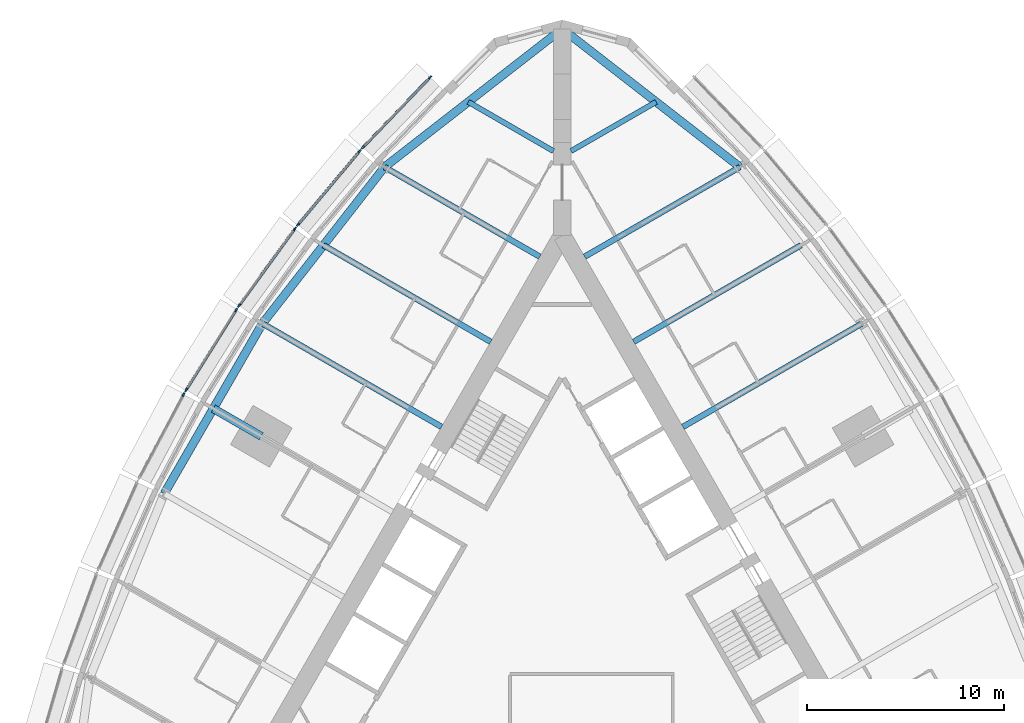
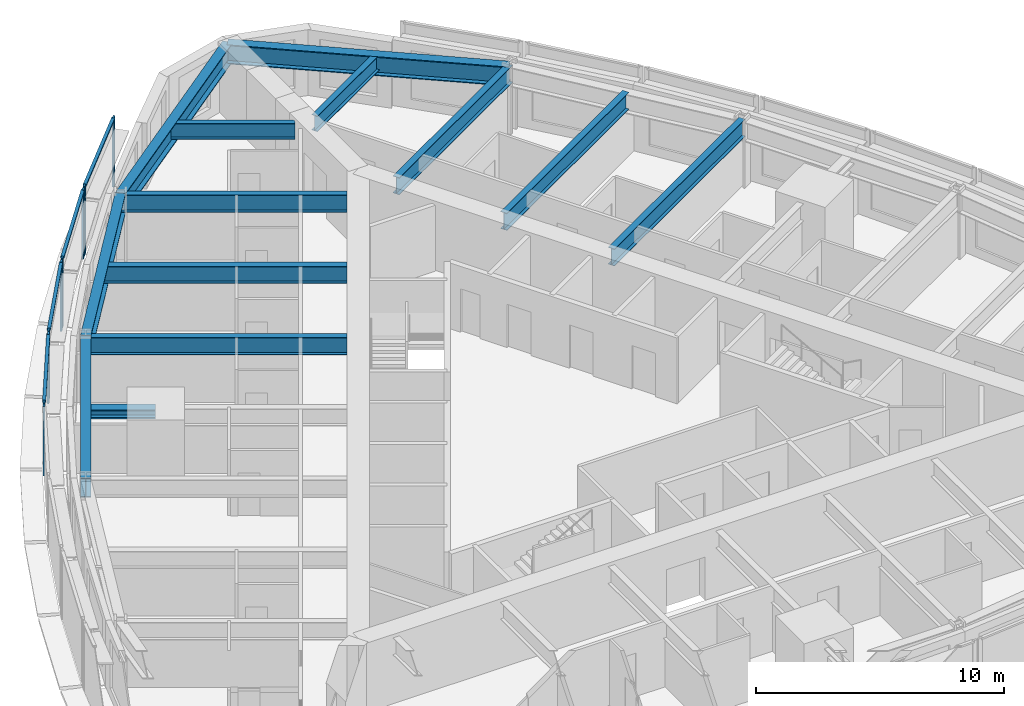
# One storey, part 4 of 14: 13 beams, 13 members, 5 elements without a shape of their own.
"""IFC4 building model written with IfcOpenShell, lengths in metres."""

from ifc_helpers import new_model, si_unit, direction, frame, origin, origin_2d, place, context, subcontext, project, spatial, rectangle, i_section, extrude, material, material_profile, profile_set, type_object, element, aggregate, save


model = new_model("IFC4")

# Units and contexts
model_context = context("Model", 3, precision=1e-05, world=origin(), true_north=direction((0.0, 1.0)))
body_context = subcontext(model_context, "Body", "Model", "MODEL_VIEW")
ifc_project = project(units=[si_unit("LENGTHUNIT", "METRE"), si_unit("AREAUNIT", "SQUARE_METRE"), si_unit("VOLUMEUNIT", "CUBIC_METRE"), si_unit("PLANEANGLEUNIT", "RADIAN"), si_unit("MASSUNIT", "GRAM", prefix="KILO")], contexts=[model_context])

# Site, building, storey
site_placement = place(None, origin())
site = spatial("IfcSite", under=ifc_project, at=site_placement, CompositionType="ELEMENT")
building_placement = place(site_placement, origin())
building = spatial("IfcBuilding", under=site, at=building_placement, Name="Trikona Tower", CompositionType="ELEMENT")
storey_placement = place(building_placement, frame((0.0, 0.0, 118.10009765625)))
storey = spatial("IfcBuildingStorey", under=building, at=storey_placement, Name="L30", CompositionType="ELEMENT", Elevation=118.10009765625)

# Curtain wall, members
ifc_material_1 = material(Name="Aluminium curtain wall system", Category="aluminium")
curtain_wall_type = type_object("IfcCurtainWallType", Name="Curtain wall DS2", PredefinedType="NOTDEFINED", material=ifc_material_1)
curtain_wall_1_placement = place(storey_placement, origin())
curtain_wall_1 = element("IfcCurtainWall", 1, at=curtain_wall_1_placement, inside=storey, type_object=curtain_wall_type, Name="Curtain wall DS2 L30", PredefinedType="NOTDEFINED")
ifc_material_2 = material(Name="Aluminium mullion, pale anodised", Category="aluminium")
ifc_material_profile_1 = material_profile(ifc_material_2, rectangle(XDim=0.080078125, YDim=0.199951171875, at=origin_2d()), Name="MUL-DS2")
ifc_profile_set_1 = profile_set([ifc_material_profile_1], Name="Aluminium mullion, pale anodised")
member_type_1 = type_object("IfcMemberType", Name="Mullion DS2 80x200", PredefinedType="MULLION", material=ifc_profile_set_1)
member_1_placement = place(storey_placement, frame((-6.718994140625, 27.1083984375, 0.0), z_axis=(0.0, 0.0, 1.0), x_axis=(0.722158330767, -0.691727797117, 0.0)))
member_1 = element("IfcMember", 2, at=member_1_placement, type_object=member_type_1, Name="CW-DS2 mullion 1", PredefinedType="MULLION", context=body_context, shape_type="SweptSolid", body=[
    extrude(rectangle(XDim=0.080078125, YDim=0.199951171875, at=origin_2d()), origin(), (0.0, 0.0, 1.0), 3.39990234375),
])
member_2_placement = place(storey_placement, frame((-10.1416015625, 23.535400390625, 0.0), z_axis=(0.0, 0.0, 1.0), x_axis=(0.722158330767, -0.691727797117, 0.0)))
member_2 = element("IfcMember", 3, at=member_2_placement, type_object=member_type_1, Name="CW-DS2 mullion 2", PredefinedType="MULLION", context=body_context, shape_type="SweptSolid", body=[
    extrude(rectangle(XDim=0.080078125, YDim=0.199951171875, at=origin_2d()), origin(), (0.0, 0.0, 1.0), 3.39990234375),
])

curtain_wall_2_placement = place(storey_placement, origin())
curtain_wall_2 = element("IfcCurtainWall", 4, at=curtain_wall_2_placement, inside=storey, type_object=curtain_wall_type, Name="Curtain wall DS2 L30", PredefinedType="NOTDEFINED")
member_3_placement = place(storey_placement, frame((-10.315185546875, 23.34130859375, 0.0), z_axis=(0.0, 0.0, 1.0), x_axis=(0.766866678271, -0.641806433248, 0.0)))
member_3 = element("IfcMember", 5, at=member_3_placement, type_object=member_type_1, Name="CW-DS2 mullion 1", PredefinedType="MULLION", context=body_context, shape_type="SweptSolid", body=[
    extrude(rectangle(XDim=0.080078125, YDim=0.199951171875, at=origin_2d()), origin(), (0.0, 0.0, 1.0), 3.39990234375),
])
member_4_placement = place(storey_placement, frame((-13.44482421875, 19.602294921875, 0.0), z_axis=(0.0, 0.0, 1.0), x_axis=(0.766866678271, -0.641806433248, 0.0)))
member_4 = element("IfcMember", 6, at=member_4_placement, type_object=member_type_1, Name="CW-DS2 mullion 2", PredefinedType="MULLION", context=body_context, shape_type="SweptSolid", body=[
    extrude(rectangle(XDim=0.080078125, YDim=0.199951171875, at=origin_2d()), origin(), (0.0, 0.0, 1.0), 3.39990234375),
])

curtain_wall_3_placement = place(storey_placement, origin())
curtain_wall_3 = element("IfcCurtainWall", 7, at=curtain_wall_3_placement, inside=storey, type_object=curtain_wall_type, Name="Curtain wall DS2 L30", PredefinedType="NOTDEFINED")
member_5_placement = place(storey_placement, frame((-13.605712890625, 19.39599609375, 0.0), z_axis=(0.0, 0.0, 1.0), x_axis=(0.80908576332, -0.587690588313, 0.0)))
member_5 = element("IfcMember", 8, at=member_5_placement, type_object=member_type_1, Name="CW-DS2 mullion 1", PredefinedType="MULLION", context=body_context, shape_type="SweptSolid", body=[
    extrude(rectangle(XDim=0.080078125, YDim=0.199951171875, at=origin_2d()), origin(), (0.0, 0.0, 1.0), 3.39990234375),
])
member_6_placement = place(storey_placement, frame((-16.442626953125, 15.489990234375, 0.0), z_axis=(0.0, 0.0, 1.0), x_axis=(0.80908576332, -0.587690588313, 0.0)))
member_6 = element("IfcMember", 9, at=member_6_placement, type_object=member_type_1, Name="CW-DS2 mullion 2", PredefinedType="MULLION", context=body_context, shape_type="SweptSolid", body=[
    extrude(rectangle(XDim=0.080078125, YDim=0.199951171875, at=origin_2d()), origin(), (0.0, 0.0, 1.0), 3.39990234375),
])

curtain_wall_4_placement = place(storey_placement, origin())
curtain_wall_4 = element("IfcCurtainWall", 10, at=curtain_wall_4_placement, inside=storey, type_object=curtain_wall_type, Name="Curtain wall DS2 L30", PredefinedType="NOTDEFINED")
member_7_placement = place(storey_placement, frame((-16.589599609375, 15.2724609375, 0.0), z_axis=(0.0, 0.0, 1.0), x_axis=(0.847998304006, -0.529998940002, 0.0)))
member_7 = element("IfcMember", 11, at=member_7_placement, type_object=member_type_1, Name="CW-DS2 mullion 1", PredefinedType="MULLION", context=body_context, shape_type="SweptSolid", body=[
    extrude(rectangle(XDim=0.080078125, YDim=0.199951171875, at=origin_2d()), origin(), (0.0, 0.0, 1.0), 3.39990234375),
])
member_8_placement = place(storey_placement, frame((-19.135009765625, 11.199462890625, 0.0), z_axis=(0.0, 0.0, 1.0), x_axis=(0.847998304006, -0.529998940002, 0.0)))
member_8 = element("IfcMember", 12, at=member_8_placement, type_object=member_type_1, Name="CW-DS2 mullion 2", PredefinedType="MULLION", context=body_context, shape_type="SweptSolid", body=[
    extrude(rectangle(XDim=0.080078125, YDim=0.199951171875, at=origin_2d()), origin(), (0.0, 0.0, 1.0), 3.39990234375),
])

# Curtain wall, member
curtain_wall_5_placement = place(storey_placement, origin())
curtain_wall_5 = element("IfcCurtainWall", 13, at=curtain_wall_5_placement, inside=storey, type_object=curtain_wall_type, Name="Curtain wall DS2 L30", PredefinedType="NOTDEFINED")
member_9_placement = place(storey_placement, frame((-19.2666015625, 10.9716796875, 0.0), z_axis=(0.0, 0.0, 1.0), x_axis=(0.882996107343, -0.469380308937, 0.0)))
member_9 = element("IfcMember", 14, at=member_9_placement, type_object=member_type_1, Name="CW-DS2 mullion 1", PredefinedType="MULLION", context=body_context, shape_type="SweptSolid", body=[
    extrude(rectangle(XDim=0.080078125, YDim=0.199951171875, at=origin_2d()), origin(), (0.0, 0.0, 1.0), 3.39990234375),
])
aggregate(curtain_wall_5, [member_9])

# Beams
ifc_material_3 = material(Name="Steel ASTM A992 Grade 50", Category="steel")
ifc_material_profile_2 = material_profile(ifc_material_3, i_section(OverallWidth=0.419189453125, OverallDepth=0.45458984375, WebThickness=0.042236328125, FlangeThickness=0.067626953125, at=origin_2d()), Name="W14X370")
ifc_profile_set_2 = profile_set([ifc_material_profile_2], Name="Steel ASTM A992 Grade 50")
beam_type_1 = type_object("IfcBeamType", Name="Steel beam W14x370 (apex bracket)", PredefinedType="BEAM", material=ifc_profile_set_2)
beam_1_placement = place(storey_placement, frame((-15.311767578125, 8.84033203125, 3.007568359375), z_axis=(-0.86605005072, 0.499957307824, 0.0), x_axis=(-0.499957307824, -0.86605005072, 0.0)))
element("IfcBeam", 15, at=beam_1_placement, inside=storey, type_object=beam_type_1, Name="Cantilever bracket L31 F3", PredefinedType="BEAM", context=body_context, shape_type="SweptSolid", body=[
    extrude(i_section(OverallWidth=0.419189453125, OverallDepth=0.45458984375, WebThickness=0.042236328125, FlangeThickness=0.067626953125, at=origin_2d()), origin(), (0.0, 0.0, 1.0), 2.819580078125),
])
ifc_material_4 = material(Name="Steel ASTM A992 Grade 50", Category="steel")
ifc_material_profile_3 = material_profile(ifc_material_4, i_section(OverallWidth=0.2666015625, OverallDepth=0.76953125, WebThickness=0.015625, FlangeThickness=0.025390625, at=origin_2d()), Name="W30X132")
ifc_profile_set_3 = profile_set([ifc_material_profile_3], Name="Steel ASTM A992 Grade 50")
beam_type_2 = type_object("IfcBeamType", Name="Steel beam W30x132 (wedge)", PredefinedType="BEAM", material=ifc_profile_set_3)
for number, where, z_axis, x_axis, name in (
    (16, (0.449951171875, 23.353759765625, 2.85009765625), (0.866038434829, 0.49997742889, 0.0), (-0.49997742889, 0.866038434829, 0.0), "Floor beam L31 F2 u20"),
    (17, (-0.449951171875, 23.353759765625, 2.85009765625), (-0.866038434829, 0.49997742889, 0.0), (-0.49997742889, -0.866038434829, 0.0), "Floor beam L31 F3 u-20"),
):
    element("IfcBeam", number, at=place(storey_placement, frame(where, z_axis=z_axis, x_axis=x_axis)), inside=storey, type_object=beam_type_2, Name=name, PredefinedType="BEAM", context=body_context, shape_type="SweptSolid", body=[
        extrude(i_section(OverallWidth=0.2666015625, OverallDepth=0.76953125, WebThickness=0.015625, FlangeThickness=0.025390625, at=origin_2d()), origin(), (0.0, 0.0, 1.0), 5.000732421875),
    ])
ifc_material_5 = material(Name="Steel ASTM A992 Grade 50", Category="steel")
ifc_material_profile_4 = material_profile(ifc_material_5, i_section(OverallWidth=0.2919921875, OverallDepth=0.845703125, WebThickness=0.015380859375, FlangeThickness=0.0244140625, at=origin_2d()), Name="W33X141")
ifc_profile_set_4 = profile_set([ifc_material_profile_4], Name="Steel ASTM A992 Grade 50")
beam_type_3 = type_object("IfcBeamType", Name="Steel beam W33x141 (radial typ)", PredefinedType="BEAM", material=ifc_profile_set_4)
beam_2_placement = place(storey_placement, frame((6.1396484375, 9.318359375, 2.81201171875), z_axis=(0.866036080828, 0.499981506362, 0.0), x_axis=(-0.499981506362, 0.866036080828, 0.0)))
element("IfcBeam", 18, at=beam_2_placement, inside=storey, type_object=beam_type_3, Name="Floor beam L31 F2 u5", PredefinedType="BEAM", context=body_context, shape_type="SweptSolid", body=[
    extrude(i_section(OverallWidth=0.2919921875, OverallDepth=0.845703125, WebThickness=0.015380859375, FlangeThickness=0.0244140625, at=origin_2d()), origin(), (0.0, 0.0, 1.0), 10.52392578125),
])
beam_3_placement = place(storey_placement, frame((3.6396484375, 13.6484375, 2.81201171875), z_axis=(0.866030807744, 0.499990639951, 0.0), x_axis=(-0.499990639951, 0.866030807744, 0.0)))
element("IfcBeam", 19, at=beam_3_placement, inside=storey, type_object=beam_type_3, Name="Floor beam L31 F2 u10", PredefinedType="BEAM", context=body_context, shape_type="SweptSolid", body=[
    extrude(i_section(OverallWidth=0.2919921875, OverallDepth=0.845703125, WebThickness=0.015380859375, FlangeThickness=0.0244140625, at=origin_2d()), origin(), (0.0, 0.0, 1.0), 9.823974609375),
])
for number, where, z_axis, x_axis, name in (
    (20, (1.1396484375, 17.978515625, 2.81201171875), (0.866024725532, 0.500001174766, 0.0), (-0.500001174766, 0.866024725532, 0.0), "Floor beam L31 F2 u15"),
    (21, (-1.1396484375, 17.978515625, 2.81201171875), (-0.866024725532, 0.500001174766, 0.0), (-0.500001174766, -0.866024725532, 0.0), "Floor beam L31 F3 u-15"),
):
    element("IfcBeam", number, at=place(storey_placement, frame(where, z_axis=z_axis, x_axis=x_axis)), inside=storey, type_object=beam_type_3, Name=name, PredefinedType="BEAM", context=body_context, shape_type="SweptSolid", body=[
        extrude(i_section(OverallWidth=0.2919921875, OverallDepth=0.845703125, WebThickness=0.015380859375, FlangeThickness=0.0244140625, at=origin_2d()), origin(), (0.0, 0.0, 1.0), 9.1240234375),
    ])
beam_4_placement = place(storey_placement, frame((-3.6396484375, 13.6484375, 2.81201171875), z_axis=(-0.866030807744, 0.499990639951, 0.0), x_axis=(-0.499990639951, -0.866030807744, 0.0)))
element("IfcBeam", 22, at=beam_4_placement, inside=storey, type_object=beam_type_3, Name="Floor beam L31 F3 u-10", PredefinedType="BEAM", context=body_context, shape_type="SweptSolid", body=[
    extrude(i_section(OverallWidth=0.2919921875, OverallDepth=0.845703125, WebThickness=0.015380859375, FlangeThickness=0.0244140625, at=origin_2d()), origin(), (0.0, 0.0, 1.0), 9.823974609375),
])
beam_5_placement = place(storey_placement, frame((-6.1396484375, 9.318359375, 2.81201171875), z_axis=(-0.866036080828, 0.499981506362, 0.0), x_axis=(-0.499981506362, -0.866036080828, 0.0)))
element("IfcBeam", 23, at=beam_5_placement, inside=storey, type_object=beam_type_3, Name="Floor beam L31 F3 u-5", PredefinedType="BEAM", context=body_context, shape_type="SweptSolid", body=[
    extrude(i_section(OverallWidth=0.2919921875, OverallDepth=0.845703125, WebThickness=0.015380859375, FlangeThickness=0.0244140625, at=origin_2d()), origin(), (0.0, 0.0, 1.0), 10.52392578125),
])
ifc_material_6 = material(Name="Steel ASTM A992 Grade 50", Category="steel")
ifc_material_profile_5 = material_profile(ifc_material_6, i_section(OverallWidth=0.424072265625, OverallDepth=0.947509765625, WebThickness=0.02392578125, FlangeThickness=0.042724609375, at=origin_2d()), Name="W36X302")
ifc_profile_set_5 = profile_set([ifc_material_profile_5], Name="Steel ASTM A992 Grade 50")
beam_type_4 = type_object("IfcBeamType", Name="Steel beam W36x302 (spandrel)", PredefinedType="SPANDREL", material=ifc_profile_set_5)
for number, where, z_axis, x_axis, name in (
    (24, (9.041259765625, 22.54052734375, 2.76123046875), (-0.789367137808, 0.613921429621, 0.0), (-0.613921429621, -0.789367137808, 0.0), "Spandrel beam L31 F2-5"),
    (25, (0.0, 29.572265625, 2.76123046875), (-0.789367137808, -0.613921429621, 0.0), (0.613921429621, -0.789367137808, 0.0), "Spandrel beam L31 F3-1"),
):
    element("IfcBeam", number, at=place(storey_placement, frame(where, z_axis=z_axis, x_axis=x_axis)), inside=storey, type_object=beam_type_4, Name=name, PredefinedType="SPANDREL", context=body_context, shape_type="SweptSolid", body=[
        extrude(i_section(OverallWidth=0.424072265625, OverallDepth=0.947509765625, WebThickness=0.02392578125, FlangeThickness=0.042724609375, at=origin_2d()), origin(), (0.0, 0.0, 1.0), 11.453857421875),
    ])
beam_6_placement = place(storey_placement, frame((-9.041259765625, 22.54052734375, 2.76123046875), z_axis=(-0.615232009054, -0.788346101046, 0.0), x_axis=(0.788346101046, -0.615232009054, 0.0)))
element("IfcBeam", 26, at=beam_6_placement, inside=storey, type_object=beam_type_4, Name="Spandrel beam L31 F3-2", PredefinedType="SPANDREL", context=body_context, shape_type="SweptSolid", body=[
    extrude(i_section(OverallWidth=0.424072265625, OverallDepth=0.947509765625, WebThickness=0.02392578125, FlangeThickness=0.042724609375, at=origin_2d()), origin(), (0.0, 0.0, 1.0), 10.09765625),
])
beam_7_placement = place(storey_placement, frame((-15.253662109375, 14.580078125, 2.76123046875), z_axis=(-0.500004234368, -0.866022959057, 0.0), x_axis=(0.866022959057, -0.500004234368, 0.0)))
element("IfcBeam", 27, at=beam_7_placement, inside=storey, type_object=beam_type_4, Name="Spandrel beam L31 F3-3", PredefinedType="SPANDREL", context=body_context, shape_type="SweptSolid", body=[
    extrude(i_section(OverallWidth=0.424072265625, OverallDepth=0.947509765625, WebThickness=0.02392578125, FlangeThickness=0.042724609375, at=origin_2d()), origin(), (0.0, 0.0, 1.0), 10.0),
])

# Member
ifc_material_7 = material(Name="Aluminium transom, pale anodised", Category="aluminium")
ifc_material_profile_6 = material_profile(ifc_material_7, rectangle(XDim=0.139892578125, YDim=0.080078125, at=origin_2d()), Name="TRN-DS2")
ifc_profile_set_6 = profile_set([ifc_material_profile_6], Name="Aluminium transom, pale anodised")
member_type_2 = type_object("IfcMemberType", Name="Transom DS2 80x140", PredefinedType="USERDEFINED", material=ifc_profile_set_6)
member_10_placement = place(storey_placement, frame((-6.746826171875, 27.07958984375, 3.35986328125), z_axis=(-0.691721246785, -0.722164605022, 0.0), x_axis=(0.722164605022, -0.691721246785, 0.0)))
member_10 = element("IfcMember", 28, at=member_10_placement, type_object=member_type_2, Name="CW-DS2 transom 1.1", ObjectType="TRANSOM", PredefinedType="USERDEFINED", context=body_context, shape_type="SweptSolid", body=[
    extrude(rectangle(XDim=0.139892578125, YDim=0.080078125, at=origin_2d()), origin(), (0.0, 0.0, 1.0), 4.867919921875),
])

aggregate(curtain_wall_1, [member_1, member_2, member_10])

member_11_placement = place(storey_placement, frame((-10.341064453125, 23.310791015625, 3.35986328125), z_axis=(-0.641770294892, -0.766896921753, 0.0), x_axis=(0.766896921753, -0.641770294892, 0.0)))
member_11 = element("IfcMember", 29, at=member_11_placement, type_object=member_type_2, Name="CW-DS2 transom 1.1", ObjectType="TRANSOM", PredefinedType="USERDEFINED", context=body_context, shape_type="SweptSolid", body=[
    extrude(rectangle(XDim=0.139892578125, YDim=0.080078125, at=origin_2d()), origin(), (0.0, 0.0, 1.0), 4.7958984375),
])

aggregate(curtain_wall_2, [member_3, member_4, member_11])

member_12_placement = place(storey_placement, frame((-13.629150390625, 19.363525390625, 3.35986328125), z_axis=(-0.587694585883, -0.809082859616, 0.0), x_axis=(0.809082859616, -0.587694585883, 0.0)))
member_12 = element("IfcMember", 30, at=member_12_placement, type_object=member_type_2, Name="CW-DS2 transom 1.1", ObjectType="TRANSOM", PredefinedType="USERDEFINED", context=body_context, shape_type="SweptSolid", body=[
    extrude(rectangle(XDim=0.139892578125, YDim=0.080078125, at=origin_2d()), origin(), (0.0, 0.0, 1.0), 4.747314453125),
])

aggregate(curtain_wall_3, [member_5, member_6, member_12])

member_13_placement = place(storey_placement, frame((-16.610595703125, 15.238525390625, 3.35986328125), z_axis=(-0.530031463794, -0.847977975769, 0.0), x_axis=(0.847977975769, -0.530031463794, 0.0)))
member_13 = element("IfcMember", 31, at=member_13_placement, type_object=member_type_2, Name="CW-DS2 transom 1.1", ObjectType="TRANSOM", PredefinedType="USERDEFINED", context=body_context, shape_type="SweptSolid", body=[
    extrude(rectangle(XDim=0.139892578125, YDim=0.080078125, at=origin_2d()), origin(), (0.0, 0.0, 1.0), 4.72314453125),
])

aggregate(curtain_wall_4, [member_7, member_8, member_13])

save(model, "model.ifc")
